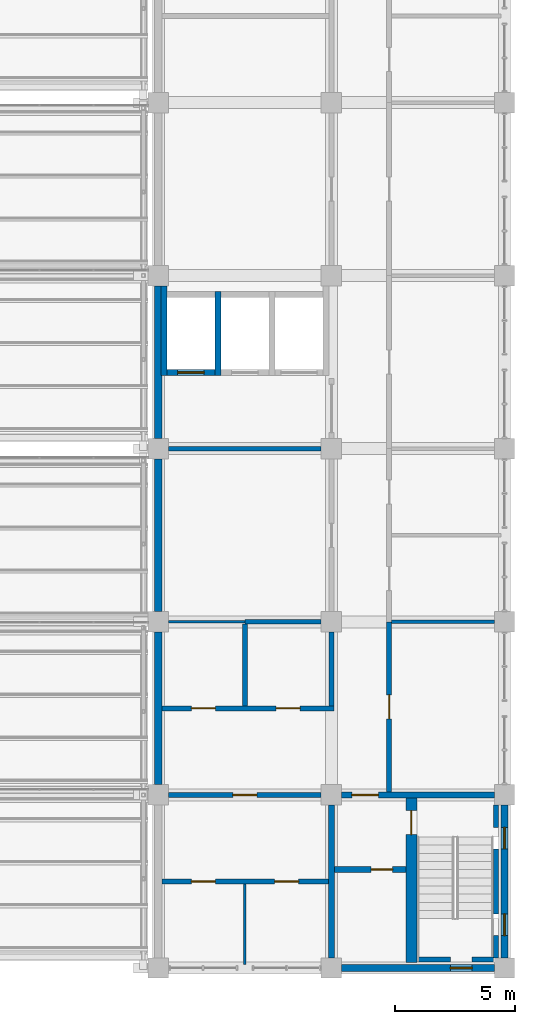
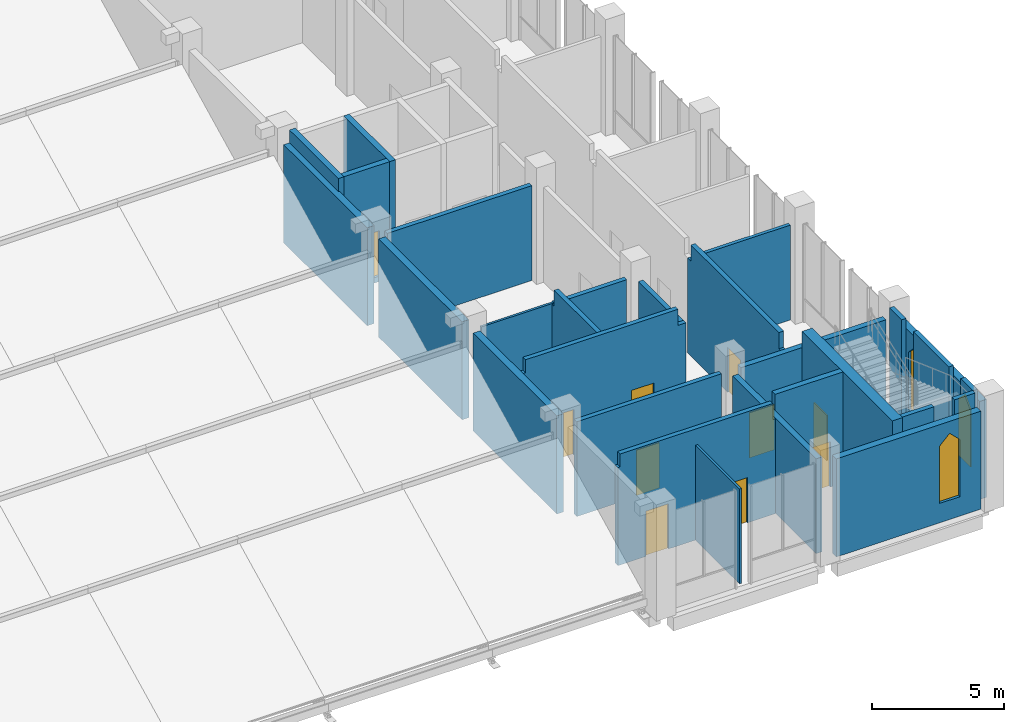
# One storey, part 74 of 83: 28 walls, 10 doors, 3 windows, 13 openings.
"""IFC4 building model written with IfcOpenShell, lengths in metres."""

from ifc_helpers import new_model, si_unit, direction, frame, frame_2d, origin, place, context, subcontext, project, spatial, polyline, rectangle, outline, extrude, material, layer, layer_set, type_object, element, fill, save


model = new_model("IFC4")

# Units and contexts
model_context = context("Model", 3, precision=1e-05, world=origin(), true_north=direction((0.0, 1.0)))
body_context = subcontext(model_context, "Body", "Model", "MODEL_VIEW")
ifc_project = project(units=[si_unit("LENGTHUNIT", "METRE"), si_unit("AREAUNIT", "SQUARE_METRE"), si_unit("VOLUMEUNIT", "CUBIC_METRE"), si_unit("PLANEANGLEUNIT", "RADIAN"), si_unit("MASSUNIT", "GRAM", prefix="KILO")], contexts=[model_context])

# Site, building, storey
site_placement = place(None, origin())
site = spatial("IfcSite", under=ifc_project, at=site_placement, CompositionType="ELEMENT")
building_placement = place(site_placement, origin())
building = spatial("IfcBuilding", under=site, at=building_placement, Name="Silangan Lancet Faculty of Sciences", CompositionType="ELEMENT")
storey_placement = place(building_placement, frame((0.0, 0.0, 11.39990234375)))
storey = spatial("IfcBuildingStorey", under=building, at=storey_placement, Name="L02", CompositionType="ELEMENT", Elevation=11.39990234375)

# Wall, opening, window
ifc_material_1 = material(Name="Concrete C40/50 precast", Category="concrete")
ifc_layer_1 = layer(ifc_material_1, 0.300048828125)
ifc_layer_set_1 = layer_set([ifc_layer_1], Name="Concrete C40/50 precast")
wall_type_1 = type_object("IfcWallType", Name="EW2 Turret enclosure wall", PredefinedType="STANDARD", material=ifc_layer_set_1)
wall_1_placement = place(storey_placement, frame((79.625, 0.0, 0.0), z_axis=(0.0, 0.0, 1.0), x_axis=(1.0, 0.0, 0.0)))
wall_1 = element("IfcWall", 1, at=wall_1_placement, inside=storey, type_object=wall_type_1, Name="EW-L02-S-EB-01", PredefinedType="STANDARD", context=body_context, shape_type="SweptSolid", body=[
    extrude(rectangle(XDim=6.35009765625, YDim=0.300048828125, at=frame_2d((3.175048828125, 0.0))), origin(), (0.0, 0.0, 1.0), 4.550048828125),
])
opening_1_placement = place(wall_1_placement, frame((4.52490234375, 0.0, 0.89990234375)))
opening_1 = element("IfcOpeningElement", 2, at=opening_1_placement, cuts=wall_1, Name="Opening W8", PredefinedType="OPENING", context=body_context, shape_type="SweptSolid", body=[
    extrude(outline(polyline([(0.0, 0.0), (0.89990234375, 0.0), (0.89990234375, 2.650146484375), (0.449951171875, 3.10009765625), (0.0, 2.650146484375), (0.0, 0.0)])), frame((0.0, 0.159912109375, 0.0), z_axis=(0.0, -1.0, 0.0), x_axis=(1.0, 0.0, 0.0)), (0.0, 0.0, 1.0), 0.320068359375),
])
ifc_material_2 = material(Name="Aluminium frame, laminated double glazing", Category="aluminium")
window_type = type_object("IfcWindowType", Name="W8 Lancet window 900 x 3100", PartitioningType="SINGLE_PANEL", PredefinedType="WINDOW", material=ifc_material_2)
window_1_placement = place(opening_1_placement, origin())
window_1 = element("IfcWindow", 3, at=window_1_placement, inside=storey, type_object=window_type, Name="WIN-L02-S-EB-01b", OverallHeight=3.10009765625, OverallWidth=0.89990234375, PartitioningType="SINGLE_PANEL", PredefinedType="WINDOW", context=body_context, shape_type="SweptSolid", body=[
    extrude(outline(polyline([(0.0, 0.0), (0.89990234375, 0.0), (0.89990234375, 2.650146484375), (0.449951171875, 3.10009765625), (0.0, 2.650146484375), (0.0, 0.0)])), frame((0.0, 0.030029296875, 0.0), z_axis=(0.0, -1.0, 0.0), x_axis=(1.0, 0.0, 0.0)), (0.0, 0.0, 1.0), 0.06005859375),
])
fill(opening_1, window_1)

# Wall, openings, windows
wall_2_placement = place(storey_placement, frame((86.39990234375, 0.425048828125, 0.0), z_axis=(0.0, 0.0, 1.0), x_axis=(0.0, 1.0, 0.0)))
wall_2 = element("IfcWall", 4, at=wall_2_placement, inside=storey, type_object=wall_type_1, Name="EW-L02-E-EB-00", PredefinedType="STANDARD", context=body_context, shape_type="SweptSolid", body=[
    extrude(rectangle(XDim=6.349853515625, YDim=0.300048828125, at=frame_2d((3.1748046875, 0.0))), origin(), (0.0, 0.0, 1.0), 4.550048828125),
])
opening_2_placement = place(wall_2_placement, frame((0.925048828125, 0.0, 0.89990234375)))
opening_2 = element("IfcOpeningElement", 5, at=opening_2_placement, cuts=wall_2, Name="Opening W8", PredefinedType="OPENING", context=body_context, shape_type="SweptSolid", body=[
    extrude(outline(polyline([(0.0, 0.0), (0.89990234375, 0.0), (0.89990234375, 2.650146484375), (0.449951171875, 3.10009765625), (0.0, 2.650146484375), (0.0, 0.0)])), frame((0.0, 0.159912109375, 0.0), z_axis=(0.0, -1.0, 0.0), x_axis=(1.0, 0.0, 0.0)), (0.0, 0.0, 1.0), 0.320068359375),
])
opening_3_placement = place(wall_2_placement, frame((4.52490234375, 0.0, 0.89990234375)))
opening_3 = element("IfcOpeningElement", 6, at=opening_3_placement, cuts=wall_2, Name="Opening W8", PredefinedType="OPENING", context=body_context, shape_type="SweptSolid", body=[
    extrude(outline(polyline([(0.0, 0.0), (0.89990234375, 0.0), (0.89990234375, 2.650146484375), (0.449951171875, 3.10009765625), (0.0, 2.650146484375), (0.0, 0.0)])), frame((0.0, 0.159912109375, 0.0), z_axis=(0.0, -1.0, 0.0), x_axis=(1.0, 0.0, 0.0)), (0.0, 0.0, 1.0), 0.320068359375),
])
window_2_placement = place(opening_2_placement, origin())
window_2 = element("IfcWindow", 7, at=window_2_placement, inside=storey, type_object=window_type, Name="WIN-L02-E-EB-00a", OverallHeight=3.10009765625, OverallWidth=0.89990234375, PartitioningType="SINGLE_PANEL", PredefinedType="WINDOW", context=body_context, shape_type="SweptSolid", body=[
    extrude(outline(polyline([(0.0, 0.0), (0.89990234375, 0.0), (0.89990234375, 2.650146484375), (0.449951171875, 3.10009765625), (0.0, 2.650146484375), (0.0, 0.0)])), frame((0.0, 0.030029296875, 0.0), z_axis=(0.0, -1.0, 0.0), x_axis=(1.0, 0.0, 0.0)), (0.0, 0.0, 1.0), 0.06005859375),
])
fill(opening_2, window_2)
window_3_placement = place(opening_3_placement, origin())
window_3 = element("IfcWindow", 8, at=window_3_placement, inside=storey, type_object=window_type, Name="WIN-L02-E-EB-00b", OverallHeight=3.10009765625, OverallWidth=0.89990234375, PartitioningType="SINGLE_PANEL", PredefinedType="WINDOW", context=body_context, shape_type="SweptSolid", body=[
    extrude(outline(polyline([(0.0, 0.0), (0.89990234375, 0.0), (0.89990234375, 2.650146484375), (0.449951171875, 3.10009765625), (0.0, 2.650146484375), (0.0, 0.0)])), frame((0.0, 0.030029296875, 0.0), z_axis=(0.0, -1.0, 0.0), x_axis=(1.0, 0.0, 0.0)), (0.0, 0.0, 1.0), 0.06005859375),
])
fill(opening_3, window_3)

# Walls
ifc_material_3 = material(Name="Concrete C40/50", Category="concrete")
ifc_layer_2 = layer(ifc_material_3, 0.300048828125)
ifc_layer_set_2 = layer_set([ifc_layer_2], Name="Concrete C40/50")
wall_type_2 = type_object("IfcWallType", Name="EW6 Stone-faced base wall", PredefinedType="STANDARD", material=ifc_layer_set_2)
for number, where, z_axis, x_axis, name in (
    (9, (72.0, 7.625, 0.0), (0.0, 0.0, 1.0), (0.0, 1.0, 0.0), "EW-L02-W-EB-01"),
    (10, (72.0, 14.824951171875, 0.0), (0.0, 0.0, 1.0), (0.0, 1.0, 0.0), "EW-L02-W-EB-02"),
    (11, (72.0, 22.02490234375, 0.0), (0.0, 0.0, 1.0), (0.0, 1.0, 0.0), "EW-L02-W-EB-03"),
):
    element("IfcWall", number, at=place(storey_placement, frame(where, z_axis=z_axis, x_axis=x_axis)), inside=storey, type_object=wall_type_2, Name=name, PredefinedType="STANDARD", context=body_context, shape_type="SweptSolid", body=[
        extrude(rectangle(XDim=6.35009765625, YDim=0.300048828125, at=frame_2d((3.175048828125, 0.0))), origin(), (0.0, 0.0, 1.0), 4.550048828125),
    ])

# Wall, openings, doors
ifc_material_4 = material(Name="Hollow block masonry fm 7 MPa", Category="masonry")
ifc_layer_3 = layer(ifc_material_4, 0.199951171875)
ifc_layer_set_3 = layer_set([ifc_layer_3], Name="Hollow block masonry fm 7 MPa")
wall_type_3 = type_object("IfcWallType", Name="Interior wall PW1 Corridor wall CHB 200", PredefinedType="PARTITIONING", material=ifc_layer_set_3)
wall_3_placement = place(storey_placement, frame((72.14990234375, 3.60009765625, 0.0), z_axis=(0.0, 0.0, 1.0), x_axis=(1.0, 0.0, 0.0)))
wall_3 = element("IfcWall", 12, at=wall_3_placement, inside=storey, type_object=wall_type_3, Name="Corridor wall CHB 200", PredefinedType="PARTITIONING", context=body_context, shape_type="SweptSolid", body=[
    extrude(outline(polyline([(0.0, 0.0), (6.925048828125, 0.0), (6.925048828125, 4.400146484375), (6.800048828125, 4.400146484375), (6.800048828125, 5.150146484375), (0.10009765625, 5.150146484375), (0.10009765625, 4.550048828125), (0.0, 4.550048828125), (0.0, 0.0)])), frame((0.0, 0.10009765625, 0.0), z_axis=(0.0, -1.0, 0.0), x_axis=(1.0, 0.0, 0.0)), (0.0, 0.0, 1.0), 0.199951171875),
])
opening_4_placement = place(wall_3_placement, frame((1.22509765625, 0.0, 0.0)))
opening_4 = element("IfcOpeningElement", 13, at=opening_4_placement, cuts=wall_3, Name="Opening L02-027", PredefinedType="OPENING", context=body_context, shape_type="SweptSolid", body=[
    extrude(rectangle(XDim=1.0, YDim=2.10009765625, at=frame_2d((0.5, 1.050048828125))), frame((0.0, 0.10986328125, 0.0), z_axis=(0.0, -1.0, 0.0), x_axis=(1.0, 0.0, 0.0)), (0.0, 0.0, 1.0), 0.219970703125),
])
opening_5_placement = place(wall_3_placement, frame((4.6875, 0.0, 0.0)))
opening_5 = element("IfcOpeningElement", 14, at=opening_5_placement, cuts=wall_3, Name="Opening L02-028", PredefinedType="OPENING", context=body_context, shape_type="SweptSolid", body=[
    extrude(rectangle(XDim=1.0, YDim=2.10009765625, at=frame_2d((0.5, 1.050048828125))), frame((0.0, 0.10986328125, 0.0), z_axis=(0.0, -1.0, 0.0), x_axis=(1.0, 0.0, 0.0)), (0.0, 0.0, 1.0), 0.219970703125),
])
ifc_material_5 = material(Name="Steel fire door set", Category="steel")
door_type_1 = type_object("IfcDoorType", Name="Door D1 Single leaf fire door 1000 x 2100", OperationType="SINGLE_SWING_LEFT", PredefinedType="DOOR", material=ifc_material_5)
door_1_placement = place(opening_4_placement, frame((1.0, 0.0, 0.0), z_axis=(0.0, 0.0, 1.0), x_axis=(-1.0, 0.0, 0.0)))
door_1 = element("IfcDoor", 15, at=door_1_placement, inside=storey, type_object=door_type_1, Name="Single leaf fire door 1000 x 2100", OperationType="SINGLE_SWING_LEFT", OverallHeight=2.10009765625, OverallWidth=1.0, PredefinedType="DOOR", context=body_context, shape_type="SweptSolid", body=[
    extrude(rectangle(XDim=1.0, YDim=2.10009765625, at=frame_2d((0.5, 1.050048828125))), frame((0.0, 0.025146484375, 0.0), z_axis=(0.0, -1.0, 0.0), x_axis=(1.0, 0.0, 0.0)), (0.0, 0.0, 1.0), 0.050048828125),
])
fill(opening_4, door_1)
door_2_placement = place(opening_5_placement, frame((1.0, 0.0, 0.0), z_axis=(0.0, 0.0, 1.0), x_axis=(-1.0, 0.0, 0.0)))
door_2 = element("IfcDoor", 16, at=door_2_placement, inside=storey, type_object=door_type_1, Name="Single leaf fire door 1000 x 2100", OperationType="SINGLE_SWING_RIGHT", OverallHeight=2.10009765625, OverallWidth=1.0, PredefinedType="DOOR", context=body_context, shape_type="SweptSolid", body=[
    extrude(rectangle(XDim=1.0, YDim=2.10009765625, at=frame_2d((0.5, 1.050048828125))), frame((0.0, 0.025146484375, 0.0), z_axis=(0.0, -1.0, 0.0), x_axis=(1.0, 0.0, 0.0)), (0.0, 0.0, 1.0), 0.050048828125),
])
fill(opening_5, door_2)

# Wall, opening, door
wall_4_placement = place(storey_placement, frame((72.425048828125, 7.199951171875, 0.0), z_axis=(0.0, 0.0, 1.0), x_axis=(1.0, 0.0, 0.0)))
wall_4 = element("IfcWall", 17, at=wall_4_placement, inside=storey, type_object=wall_type_3, Name="Corridor wall CHB 200", PredefinedType="PARTITIONING", context=body_context, shape_type="SweptSolid", body=[
    extrude(rectangle(XDim=6.349853515625, YDim=0.199951171875, at=frame_2d((3.1748046875, 0.0))), origin(), (0.0, 0.0, 1.0), 4.400146484375),
])
opening_6_placement = place(wall_4_placement, frame((2.675048828125, 0.0, 0.0)))
opening_6 = element("IfcOpeningElement", 18, at=opening_6_placement, cuts=wall_4, Name="Opening L02-008", PredefinedType="OPENING", context=body_context, shape_type="SweptSolid", body=[
    extrude(rectangle(XDim=1.0, YDim=2.10009765625, at=frame_2d((0.5, 1.050048828125))), frame((0.0, 0.10986328125, 0.0), z_axis=(0.0, -1.0, 0.0), x_axis=(1.0, 0.0, 0.0)), (0.0, 0.0, 1.0), 0.219970703125),
])
door_3_placement = place(opening_6_placement, frame((1.0, 0.0, 0.0), z_axis=(0.0, 0.0, 1.0), x_axis=(-1.0, 0.0, 0.0)))
door_3 = element("IfcDoor", 19, at=door_3_placement, inside=storey, type_object=door_type_1, Name="Single leaf fire door 1000 x 2100", OperationType="SINGLE_SWING_LEFT", OverallHeight=2.10009765625, OverallWidth=1.0, PredefinedType="DOOR", context=body_context, shape_type="SweptSolid", body=[
    extrude(rectangle(XDim=1.0, YDim=2.10009765625, at=frame_2d((0.5, 1.050048828125))), frame((0.0, 0.025146484375, 0.0), z_axis=(0.0, -1.0, 0.0), x_axis=(1.0, 0.0, 0.0)), (0.0, 0.0, 1.0), 0.050048828125),
])
fill(opening_6, door_3)

# Wall, openings, doors
wall_5_placement = place(storey_placement, frame((72.14990234375, 10.800048828125, 0.0), z_axis=(0.0, 0.0, 1.0), x_axis=(1.0, 0.0, 0.0)))
wall_5 = element("IfcWall", 20, at=wall_5_placement, inside=storey, type_object=wall_type_3, Name="Corridor wall CHB 200", PredefinedType="PARTITIONING", context=body_context, shape_type="SweptSolid", body=[
    extrude(outline(polyline([(0.0, 0.0), (7.150146484375, 0.0), (7.150146484375, 4.400146484375), (6.800048828125, 4.400146484375), (6.800048828125, 5.150146484375), (0.10009765625, 5.150146484375), (0.10009765625, 4.550048828125), (0.0, 4.550048828125), (0.0, 0.0)])), frame((0.0, 0.10009765625, 0.0), z_axis=(0.0, -1.0, 0.0), x_axis=(1.0, 0.0, 0.0)), (0.0, 0.0, 1.0), 0.199951171875),
])
opening_7_placement = place(wall_5_placement, frame((1.22509765625, 0.0, 0.0)))
opening_7 = element("IfcOpeningElement", 21, at=opening_7_placement, cuts=wall_5, Name="Opening L02-029", PredefinedType="OPENING", context=body_context, shape_type="SweptSolid", body=[
    extrude(rectangle(XDim=1.0, YDim=2.10009765625, at=frame_2d((0.5, 1.050048828125))), frame((0.0, 0.10986328125, 0.0), z_axis=(0.0, -1.0, 0.0), x_axis=(1.0, 0.0, 0.0)), (0.0, 0.0, 1.0), 0.219970703125),
])
opening_8_placement = place(wall_5_placement, frame((4.75, 0.0, 0.0)))
opening_8 = element("IfcOpeningElement", 22, at=opening_8_placement, cuts=wall_5, Name="Opening L02-030", PredefinedType="OPENING", context=body_context, shape_type="SweptSolid", body=[
    extrude(rectangle(XDim=1.0, YDim=2.10009765625, at=frame_2d((0.5, 1.050048828125))), frame((0.0, 0.10986328125, 0.0), z_axis=(0.0, -1.0, 0.0), x_axis=(1.0, 0.0, 0.0)), (0.0, 0.0, 1.0), 0.219970703125),
])
door_4_placement = place(opening_7_placement, origin())
door_4 = element("IfcDoor", 23, at=door_4_placement, inside=storey, type_object=door_type_1, Name="Single leaf fire door 1000 x 2100", OperationType="SINGLE_SWING_RIGHT", OverallHeight=2.10009765625, OverallWidth=1.0, PredefinedType="DOOR", context=body_context, shape_type="SweptSolid", body=[
    extrude(rectangle(XDim=1.0, YDim=2.10009765625, at=frame_2d((0.5, 1.050048828125))), frame((0.0, 0.02490234375, 0.0), z_axis=(0.0, -1.0, 0.0), x_axis=(1.0, 0.0, 0.0)), (0.0, 0.0, 1.0), 0.050048828125),
])
fill(opening_7, door_4)
door_5_placement = place(opening_8_placement, origin())
door_5 = element("IfcDoor", 24, at=door_5_placement, inside=storey, type_object=door_type_1, Name="Single leaf fire door 1000 x 2100", OperationType="SINGLE_SWING_LEFT", OverallHeight=2.10009765625, OverallWidth=1.0, PredefinedType="DOOR", context=body_context, shape_type="SweptSolid", body=[
    extrude(rectangle(XDim=1.0, YDim=2.10009765625, at=frame_2d((0.5, 1.050048828125))), frame((0.0, 0.02490234375, 0.0), z_axis=(0.0, -1.0, 0.0), x_axis=(1.0, 0.0, 0.0)), (0.0, 0.0, 1.0), 0.050048828125),
])
fill(opening_8, door_5)

# Wall
wall_6_placement = place(storey_placement, frame((79.199951171875, 10.89990234375, 0.0), z_axis=(0.0, 0.0, 1.0), x_axis=(0.0, 1.0, 0.0)))
element("IfcWall", 25, at=wall_6_placement, inside=storey, type_object=wall_type_3, Name="Corridor wall CHB 200", PredefinedType="PARTITIONING", context=body_context, shape_type="SweptSolid", body=[
    extrude(rectangle(XDim=3.0751953125, YDim=0.199951171875, at=frame_2d((1.53759765625, 0.0))), origin(), (0.0, 0.0, 1.0), 4.400146484375),
])

# Wall, opening, door
wall_7_placement = place(storey_placement, frame((81.60009765625, 7.324951171875, 0.0), z_axis=(0.0, 0.0, 1.0), x_axis=(0.0, 1.0, 0.0)))
wall_7 = element("IfcWall", 26, at=wall_7_placement, inside=storey, type_object=wall_type_3, Name="Corridor wall CHB 200", PredefinedType="PARTITIONING", context=body_context, shape_type="SweptSolid", body=[
    extrude(outline(polyline([(0.0, 0.0), (7.074951171875, 0.0), (7.074951171875, 4.400146484375), (6.824951171875, 4.400146484375), (6.824951171875, 5.150146484375), (0.125, 5.150146484375), (0.125, 4.400146484375), (0.0, 4.400146484375), (0.0, 0.0)])), frame((0.0, 0.10009765625, 0.0), z_axis=(0.0, -1.0, 0.0), x_axis=(1.0, 0.0, 0.0)), (0.0, 0.0, 1.0), 0.199951171875),
])
opening_9_placement = place(wall_7_placement, frame((3.037353515625, 0.0, 0.0)))
opening_9 = element("IfcOpeningElement", 27, at=opening_9_placement, cuts=wall_7, Name="Opening L02-035", PredefinedType="OPENING", context=body_context, shape_type="SweptSolid", body=[
    extrude(rectangle(XDim=1.0, YDim=2.10009765625, at=frame_2d((0.5, 1.050048828125))), frame((0.0, 0.10986328125, 0.0), z_axis=(0.0, -1.0, 0.0), x_axis=(1.0, 0.0, 0.0)), (0.0, 0.0, 1.0), 0.219970703125),
])
door_6_placement = place(opening_9_placement, frame((1.0, 0.0, 0.0), z_axis=(0.0, 0.0, 1.0), x_axis=(-1.0, 0.0, 0.0)))
door_6 = element("IfcDoor", 28, at=door_6_placement, inside=storey, type_object=door_type_1, Name="Single leaf fire door 1000 x 2100", OperationType="SINGLE_SWING_LEFT", OverallHeight=2.10009765625, OverallWidth=1.0, PredefinedType="DOOR", context=body_context, shape_type="SweptSolid", body=[
    extrude(rectangle(XDim=1.0, YDim=2.10009765625, at=frame_2d((0.5, 1.050048828125))), frame((0.0, 0.025146484375, 0.0), z_axis=(0.0, -1.0, 0.0), x_axis=(1.0, 0.0, 0.0)), (0.0, 0.0, 1.0), 0.050048828125),
])
fill(opening_9, door_6)

# Walls
ifc_material_6 = material(Name="Hollow block masonry fm 7 MPa", Category="masonry")
ifc_layer_4 = layer(ifc_material_6, 0.14990234375)
ifc_layer_set_4 = layer_set([ifc_layer_4], Name="Hollow block masonry fm 7 MPa")
wall_type_4 = type_object("IfcWallType", Name="Interior wall PW3 Partition CHB 150", PredefinedType="PARTITIONING", material=ifc_layer_set_4)
wall_8_placement = place(storey_placement, frame((81.699951171875, 14.39990234375, 0.0), z_axis=(0.0, 0.0, 1.0), x_axis=(1.0, 0.0, 0.0)))
element("IfcWall", 29, at=wall_8_placement, inside=storey, type_object=wall_type_4, Name="Partition CHB 150", PredefinedType="PARTITIONING", context=body_context, shape_type="SweptSolid", body=[
    extrude(rectangle(XDim=4.275146484375, YDim=0.14990234375, at=frame_2d((2.1376953125, 0.0))), origin(), (0.0, 0.0, 1.0), 4.400146484375),
])
ifc_material_7 = material(Name="Hollow block masonry fm 7 MPa", Category="masonry")
ifc_layer_5 = layer(ifc_material_7, 0.199951171875)
ifc_layer_set_5 = layer_set([ifc_layer_5], Name="Hollow block masonry fm 7 MPa")
wall_type_5 = type_object("IfcWallType", Name="Interior wall PW4 Laboratory separation CHB 200", PredefinedType="PARTITIONING", material=ifc_layer_set_5)
wall_9_placement = place(storey_placement, frame((75.60009765625, 14.39990234375, 0.0), z_axis=(0.0, 0.0, 1.0), x_axis=(1.0, 0.0, 0.0)))
element("IfcWall", 30, at=wall_9_placement, inside=storey, type_object=wall_type_5, Name="Laboratory separation CHB 200", PredefinedType="PARTITIONING", context=body_context, shape_type="SweptSolid", body=[
    extrude(rectangle(XDim=3.1748046875, YDim=0.199951171875, at=frame_2d((1.58740234375, 0.0))), origin(), (0.0, 0.0, 1.0), 4.400146484375),
])
wall_10_placement = place(storey_placement, frame((75.60009765625, 10.89990234375, 0.0), z_axis=(0.0, 0.0, 1.0), x_axis=(0.0, 1.0, 0.0)))
element("IfcWall", 31, at=wall_10_placement, inside=storey, type_object=wall_type_5, Name="Laboratory separation CHB 200", PredefinedType="PARTITIONING", context=body_context, shape_type="SweptSolid", body=[
    extrude(outline(polyline([(0.0, 0.0), (3.400146484375, 0.0), (3.400146484375, 4.400146484375), (3.25, 4.400146484375), (3.25, 5.150146484375), (0.0, 5.150146484375), (0.0, 0.0)])), frame((0.0, 0.10009765625, 0.0), z_axis=(0.0, -1.0, 0.0), x_axis=(1.0, 0.0, 0.0)), (0.0, 0.0, 1.0), 0.199951171875),
])
ifc_material_8 = material(Name="Hollow block masonry fm 7 MPa", Category="masonry")
ifc_layer_6 = layer(ifc_material_8, 0.10009765625)
ifc_layer_set_6 = layer_set([ifc_layer_6], Name="Hollow block masonry fm 7 MPa")
wall_type_6 = type_object("IfcWallType", Name="Interior wall PW8 WC partition CHB 100", PredefinedType="PARTITIONING", material=ifc_layer_set_6)
wall_11_placement = place(storey_placement, frame((72.425048828125, 14.39990234375, 0.0), z_axis=(0.0, 0.0, 1.0), x_axis=(1.0, 0.0, 0.0)))
element("IfcWall", 32, at=wall_11_placement, inside=storey, type_object=wall_type_6, Name="WC partition CHB 100", PredefinedType="PARTITIONING", context=body_context, shape_type="SweptSolid", body=[
    extrude(rectangle(XDim=3.175048828125, YDim=0.10009765625, at=frame_2d((1.58740234375, 0.0))), origin(), (0.0, 0.0, 1.0), 4.400146484375),
])
wall_12_placement = place(storey_placement, frame((75.60009765625, 0.14990234375, 0.0), z_axis=(0.0, 0.0, 1.0), x_axis=(0.0, 1.0, 0.0)))
element("IfcWall", 33, at=wall_12_placement, inside=storey, type_object=wall_type_6, Name="WC partition CHB 100", PredefinedType="PARTITIONING", context=body_context, shape_type="SweptSolid", body=[
    extrude(rectangle(XDim=3.35009765625, YDim=0.10009765625, at=frame_2d((1.675048828125, 0.0))), origin(), (0.0, 0.0, 1.0), 4.400146484375),
])
ifc_material_9 = material(Name="Hollow block masonry fm 7 MPa", Category="masonry")
ifc_layer_7 = layer(ifc_material_9, 0.199951171875)
ifc_layer_set_7 = layer_set([ifc_layer_7], Name="Hollow block masonry fm 7 MPa")
wall_type_7 = type_object("IfcWallType", Name="Interior wall PW9 Lift lobby wall CHB 200", PredefinedType="PARTITIONING", material=ifc_layer_set_7)
wall_13_placement = place(storey_placement, frame((72.425048828125, 21.60009765625, 0.0), z_axis=(0.0, 0.0, 1.0), x_axis=(1.0, 0.0, 0.0)))
element("IfcWall", 34, at=wall_13_placement, inside=storey, type_object=wall_type_7, Name="Lift lobby wall CHB 200", PredefinedType="PARTITIONING", context=body_context, shape_type="SweptSolid", body=[
    extrude(rectangle(XDim=6.349853515625, YDim=0.199951171875, at=frame_2d((3.1748046875, 0.0))), origin(), (0.0, 0.0, 1.0), 4.400146484375),
])
ifc_material_10 = material(Name="Concrete C40/50", Category="concrete")
ifc_layer_8 = layer(ifc_material_10, 0.25)
ifc_layer_set_8 = layer_set([ifc_layer_8], Name="Concrete C40/50")
wall_type_8 = type_object("IfcWallType", Name="LIFT SHAFT WALL RC 250", PredefinedType="SHEAR", material=ifc_layer_set_8)
wall_14_placement = place(storey_placement, frame((72.22509765625, 24.64990234375, -0.25), z_axis=(0.0, 0.0, 1.0), x_axis=(0.0, 1.0, 0.0)))
element("IfcWall", 35, at=wall_14_placement, inside=storey, type_object=wall_type_8, Name="WALL-L02-EB-SW1", PredefinedType="SHEAR", context=body_context, shape_type="SweptSolid", body=[
    extrude(rectangle(XDim=3.72509765625, YDim=0.25, at=frame_2d((1.862548828125, 0.0))), origin(), (0.0, 0.0, 1.0), 5.400146484375),
])
wall_15_placement = place(storey_placement, frame((74.47509765625, 24.64990234375, -0.25), z_axis=(0.0, 0.0, 1.0), x_axis=(0.0, 1.0, 0.0)))
element("IfcWall", 36, at=wall_15_placement, inside=storey, type_object=wall_type_8, Name="WALL-L02-EB-SW2", PredefinedType="SHEAR", context=body_context, shape_type="SweptSolid", body=[
    extrude(rectangle(XDim=3.5, YDim=0.25, at=frame_2d((1.75, 0.0))), origin(), (0.0, 0.0, 1.0), 5.400146484375),
])

# Wall, opening, door
wall_16_placement = place(storey_placement, frame((72.35009765625, 24.77490234375, -0.25), z_axis=(0.0, 0.0, 1.0), x_axis=(1.0, 0.0, 0.0)))
wall_16 = element("IfcWall", 37, at=wall_16_placement, inside=storey, type_object=wall_type_8, Name="WALL-L02-EB-L1-F", PredefinedType="SHEAR", context=body_context, shape_type="SweptSolid", body=[
    extrude(rectangle(XDim=2.0, YDim=0.25, at=frame_2d((1.0, 0.0))), origin(), (0.0, 0.0, 1.0), 5.400146484375),
])
opening_10_placement = place(wall_16_placement, frame((0.449951171875, 0.0, 0.25)))
opening_10 = element("IfcOpeningElement", 38, at=opening_10_placement, cuts=wall_16, Name="Opening L02-801", PredefinedType="OPENING", context=body_context, shape_type="SweptSolid", body=[
    extrude(rectangle(XDim=1.10009765625, YDim=2.10009765625, at=frame_2d((0.550048828125, 1.050048828125))), frame((0.0, 0.135009765625, 0.0), z_axis=(0.0, -1.0, 0.0), x_axis=(1.0, 0.0, 0.0)), (0.0, 0.0, 1.0), 0.27001953125),
])
ifc_material_11 = material(Name="Stainless steel sliding door", Category="steel")
door_type_2 = type_object("IfcDoorType", Name="LD1 Lift landing door 1100x2100", OperationType="SLIDING_TO_LEFT", PredefinedType="DOOR", material=ifc_material_11)
door_7_placement = place(opening_10_placement, origin())
door_7 = element("IfcDoor", 39, at=door_7_placement, inside=storey, type_object=door_type_2, Name="Landing door EB-L1 L02", OperationType="SLIDING_TO_LEFT", OverallHeight=2.10009765625, OverallWidth=1.10009765625, PredefinedType="DOOR", context=body_context, shape_type="SweptSolid", body=[
    extrude(rectangle(XDim=1.10009765625, YDim=2.10009765625, at=frame_2d((0.550048828125, 1.050048828125))), frame((0.0, 0.02490234375, 0.0), z_axis=(0.0, -1.0, 0.0), x_axis=(1.0, 0.0, 0.0)), (0.0, 0.0, 1.0), 0.050048828125),
])
fill(opening_10, door_7)

ifc_material_12 = material(Name="Concrete C40/50", Category="concrete")
ifc_layer_9 = layer(ifc_material_12, 0.449951171875)
ifc_layer_set_9 = layer_set([ifc_layer_9], Name="Concrete C40/50")
wall_type_9 = type_object("IfcWallType", Name="TURRET CORE WALL RC 450", PredefinedType="SHEAR", material=ifc_layer_set_9)
wall_17_placement = place(storey_placement, frame((82.52490234375, 0.22509765625, 0.0), z_axis=(0.0, 0.0, 1.0), x_axis=(0.0, 1.0, 0.0)))
wall_17 = element("IfcWall", 40, at=wall_17_placement, inside=storey, type_object=wall_type_9, Name="WALL-L02-EB-A-WELL", PredefinedType="SHEAR", context=body_context, shape_type="SweptSolid", body=[
    extrude(rectangle(XDim=6.849853515625, YDim=0.449951171875, at=frame_2d((3.4248046875, 0.0))), origin(), (0.0, 0.0, 1.0), 5.150146484375),
])
opening_11_placement = place(wall_17_placement, frame((5.324951171875, 0.0, 0.0)))
opening_11 = element("IfcOpeningElement", 41, at=opening_11_placement, cuts=wall_17, Name="Opening L02-701", PredefinedType="OPENING", context=body_context, shape_type="SweptSolid", body=[
    extrude(rectangle(XDim=1.0, YDim=2.10009765625, at=frame_2d((0.5, 1.050048828125))), frame((0.0, 0.23486328125, 0.0), z_axis=(0.0, -1.0, 0.0), x_axis=(1.0, 0.0, 0.0)), (0.0, 0.0, 1.0), 0.469970703125),
])
ifc_material_13 = material(Name="Steel fire door set", Category="steel")
door_type_3 = type_object("IfcDoorType", Name="D71 Stair enclosure door 1000x2100", OperationType="SINGLE_SWING_LEFT", PredefinedType="DOOR", material=ifc_material_13)
door_8_placement = place(opening_11_placement, frame((1.0, 0.0, 0.0), z_axis=(0.0, 0.0, 1.0), x_axis=(-1.0, 0.0, 0.0)))
door_8 = element("IfcDoor", 42, at=door_8_placement, inside=storey, type_object=door_type_3, Name="Stair enclosure door EB-A L02", OperationType="SINGLE_SWING_LEFT", OverallHeight=2.10009765625, OverallWidth=1.0, PredefinedType="DOOR", context=body_context, shape_type="SweptSolid", body=[
    extrude(rectangle(XDim=1.0, YDim=2.10009765625, at=frame_2d((0.5, 1.050048828125))), frame((0.0, 0.025146484375, 0.0), z_axis=(0.0, -1.0, 0.0), x_axis=(1.0, 0.0, 0.0)), (0.0, 0.0, 1.0), 0.050048828125),
])
fill(opening_11, door_8)

# Walls
ifc_material_14 = material(Name="Concrete C40/50", Category="concrete")
ifc_layer_10 = layer(ifc_material_14, 0.199951171875)
ifc_layer_set_10 = layer_set([ifc_layer_10], Name="Concrete C40/50")
wall_type_10 = type_object("IfcWallType", Name="TURRET LINING WALL RC 200", PredefinedType="SHEAR", material=ifc_layer_set_10)
wall_18_placement = place(storey_placement, frame((86.050048828125, 0.425048828125, -0.25), z_axis=(0.0, 0.0, 1.0), x_axis=(0.0, 1.0, 0.0)))
element("IfcWall", 43, at=wall_18_placement, inside=storey, type_object=wall_type_10, Name="WALL-L02-EB-A-WL", PredefinedType="SHEAR", context=body_context, shape_type="SweptSolid", body=[
    extrude(rectangle(XDim=0.925048828125, YDim=0.199951171875, at=frame_2d((0.46240234375, 0.0))), origin(), (0.0, 0.0, 1.0), 5.400146484375),
])
wall_19_placement = place(storey_placement, frame((86.050048828125, 2.25, -0.25), z_axis=(0.0, 0.0, 1.0), x_axis=(0.0, 1.0, 0.0)))
element("IfcWall", 44, at=wall_19_placement, inside=storey, type_object=wall_type_10, Name="WALL-L02-EB-A-WL-2", PredefinedType="SHEAR", context=body_context, shape_type="SweptSolid", body=[
    extrude(rectangle(XDim=2.699951171875, YDim=0.199951171875, at=frame_2d((1.35009765625, 0.0))), origin(), (0.0, 0.0, 1.0), 5.400146484375),
])
wall_20_placement = place(storey_placement, frame((86.050048828125, 5.85009765625, -0.25), z_axis=(0.0, 0.0, 1.0), x_axis=(0.0, 1.0, 0.0)))
element("IfcWall", 45, at=wall_20_placement, inside=storey, type_object=wall_type_10, Name="WALL-L02-EB-A-WL-3", PredefinedType="SHEAR", context=body_context, shape_type="SweptSolid", body=[
    extrude(rectangle(XDim=0.9248046875, YDim=0.199951171875, at=frame_2d((0.46240234375, 0.0))), origin(), (0.0, 0.0, 1.0), 5.400146484375),
])
wall_21_placement = place(storey_placement, frame((82.75, 0.35009765625, -0.25), z_axis=(0.0, 0.0, 1.0), x_axis=(1.0, 0.0, 0.0)))
element("IfcWall", 46, at=wall_21_placement, inside=storey, type_object=wall_type_10, Name="WALL-L02-EB-A-WLD", PredefinedType="SHEAR", context=body_context, shape_type="SweptSolid", body=[
    extrude(rectangle(XDim=1.39990234375, YDim=0.199951171875, at=frame_2d((0.699951171875, 0.0))), origin(), (0.0, 0.0, 1.0), 5.400146484375),
])
wall_22_placement = place(storey_placement, frame((85.050048828125, 0.35009765625, -0.25), z_axis=(0.0, 0.0, 1.0), x_axis=(1.0, 0.0, 0.0)))
element("IfcWall", 47, at=wall_22_placement, inside=storey, type_object=wall_type_10, Name="WALL-L02-EB-A-WLD-2", PredefinedType="SHEAR", context=body_context, shape_type="SweptSolid", body=[
    extrude(rectangle(XDim=0.89990234375, YDim=0.199951171875, at=frame_2d((0.449951171875, 0.0))), origin(), (0.0, 0.0, 1.0), 5.400146484375),
])

# Wall, opening, door
ifc_material_15 = material(Name="Concrete C40/50", Category="concrete")
ifc_layer_11 = layer(ifc_material_15, 0.25)
ifc_layer_set_11 = layer_set([ifc_layer_11], Name="Concrete C40/50")
wall_type_11 = type_object("IfcWallType", Name="TURRET WALL RC 250", PredefinedType="SHEAR", material=ifc_layer_set_11)
wall_23_placement = place(storey_placement, frame((79.625, 7.199951171875, 0.0), z_axis=(0.0, 0.0, 1.0), x_axis=(1.0, 0.0, 0.0)))
wall_23 = element("IfcWall", 48, at=wall_23_placement, inside=storey, type_object=wall_type_11, Name="WALL-L02-EB-A-V", PredefinedType="SHEAR", context=body_context, shape_type="SweptSolid", body=[
    extrude(rectangle(XDim=6.35009765625, YDim=0.25, at=frame_2d((3.175048828125, 0.0))), origin(), (0.0, 0.0, 1.0), 4.400146484375),
])
opening_12_placement = place(wall_23_placement, frame((0.425048828125, 0.0, 0.0)))
opening_12 = element("IfcOpeningElement", 49, at=opening_12_placement, cuts=wall_23, Name="Opening L02-702", PredefinedType="OPENING", context=body_context, shape_type="SweptSolid", body=[
    extrude(rectangle(XDim=1.10009765625, YDim=2.10009765625, at=frame_2d((0.550048828125, 1.050048828125))), frame((0.0, 0.135009765625, 0.0), z_axis=(0.0, -1.0, 0.0), x_axis=(1.0, 0.0, 0.0)), (0.0, 0.0, 1.0), 0.27001953125),
])
ifc_material_16 = material(Name="Steel fire door set", Category="steel")
door_type_4 = type_object("IfcDoorType", Name="D70 Stair vestibule door 1100x2100", OperationType="SINGLE_SWING_LEFT", PredefinedType="DOOR", material=ifc_material_16)
door_9_placement = place(opening_12_placement, frame((1.10009765625, 0.0, 0.0), z_axis=(0.0, 0.0, 1.0), x_axis=(-1.0, 0.0, 0.0)))
door_9 = element("IfcDoor", 50, at=door_9_placement, inside=storey, type_object=door_type_4, Name="Stair vestibule door EB-A L02", OperationType="SINGLE_SWING_RIGHT", OverallHeight=2.10009765625, OverallWidth=1.10009765625, PredefinedType="DOOR", context=body_context, shape_type="SweptSolid", body=[
    extrude(rectangle(XDim=1.10009765625, YDim=2.10009765625, at=frame_2d((0.550048828125, 1.050048828125))), frame((0.0, 0.025146484375, 0.0), z_axis=(0.0, -1.0, 0.0), x_axis=(1.0, 0.0, 0.0)), (0.0, 0.0, 1.0), 0.050048828125),
])
fill(opening_12, door_9)

# Wall
wall_24_placement = place(storey_placement, frame((79.199951171875, 0.425048828125, 0.0), z_axis=(0.0, 0.0, 1.0), x_axis=(0.0, 1.0, 0.0)))
element("IfcWall", 51, at=wall_24_placement, inside=storey, type_object=wall_type_11, Name="WALL-L02-EB-A-O", PredefinedType="SHEAR", context=body_context, shape_type="SweptSolid", body=[
    extrude(rectangle(XDim=6.349853515625, YDim=0.25, at=frame_2d((3.1748046875, 0.0))), origin(), (0.0, 0.0, 1.0), 4.400146484375),
])

# Wall, opening, door
wall_25_placement = place(storey_placement, frame((79.324951171875, 4.10009765625, 0.0), z_axis=(0.0, 0.0, 1.0), x_axis=(1.0, 0.0, 0.0)))
wall_25 = element("IfcWall", 52, at=wall_25_placement, inside=storey, type_object=wall_type_11, Name="WALL-L02-EB-A-RISER", PredefinedType="SHEAR", context=body_context, shape_type="SweptSolid", body=[
    extrude(rectangle(XDim=2.97509765625, YDim=0.25, at=frame_2d((1.487548828125, 0.0))), origin(), (0.0, 0.0, 1.0), 5.150146484375),
])
opening_13_placement = place(wall_25_placement, frame((1.52490234375, 0.0, 0.0)))
opening_13 = element("IfcOpeningElement", 53, at=opening_13_placement, cuts=wall_25, Name="Opening L02-703", PredefinedType="OPENING", context=body_context, shape_type="SweptSolid", body=[
    extrude(rectangle(XDim=0.89990234375, YDim=2.10009765625, at=frame_2d((0.449951171875, 1.050048828125))), frame((0.0, 0.135009765625, 0.0), z_axis=(0.0, -1.0, 0.0), x_axis=(1.0, 0.0, 0.0)), (0.0, 0.0, 1.0), 0.27001953125),
])
ifc_material_17 = material(Name="Steel fire door set", Category="steel")
door_type_5 = type_object("IfcDoorType", Name="D72 Riser access door 900x2100", OperationType="SINGLE_SWING_LEFT", PredefinedType="DOOR", material=ifc_material_17)
door_10_placement = place(opening_13_placement, frame((0.89990234375, 0.0, 0.0), z_axis=(0.0, 0.0, 1.0), x_axis=(-1.0, 0.0, 0.0)))
door_10 = element("IfcDoor", 54, at=door_10_placement, inside=storey, type_object=door_type_5, Name="Riser access door EB-A L02", OperationType="SINGLE_SWING_RIGHT", OverallHeight=2.10009765625, OverallWidth=0.89990234375, PredefinedType="DOOR", context=body_context, shape_type="SweptSolid", body=[
    extrude(rectangle(XDim=0.89990234375, YDim=2.10009765625, at=frame_2d((0.449951171875, 1.050048828125))), frame((0.0, 0.025146484375, 0.0), z_axis=(0.0, -1.0, 0.0), x_axis=(1.0, 0.0, 0.0)), (0.0, 0.0, 1.0), 0.050048828125),
])
fill(opening_13, door_10)

save(model, "model.ifc")
